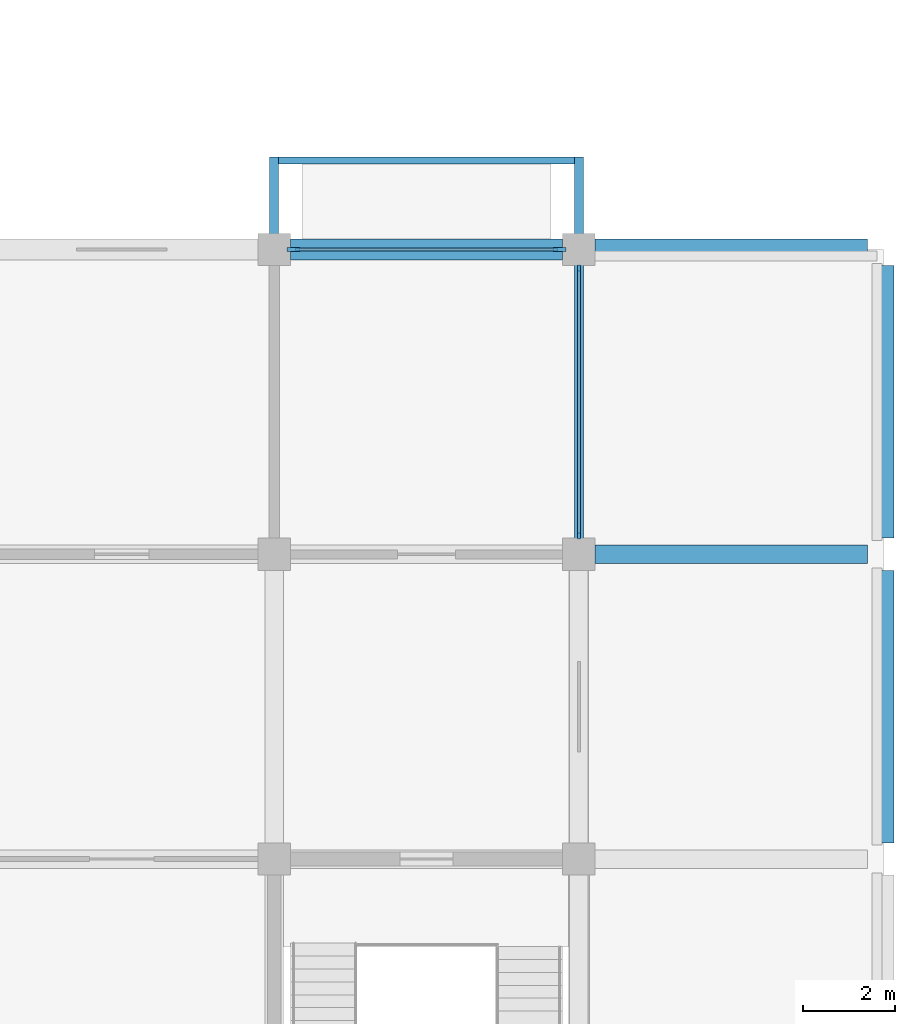
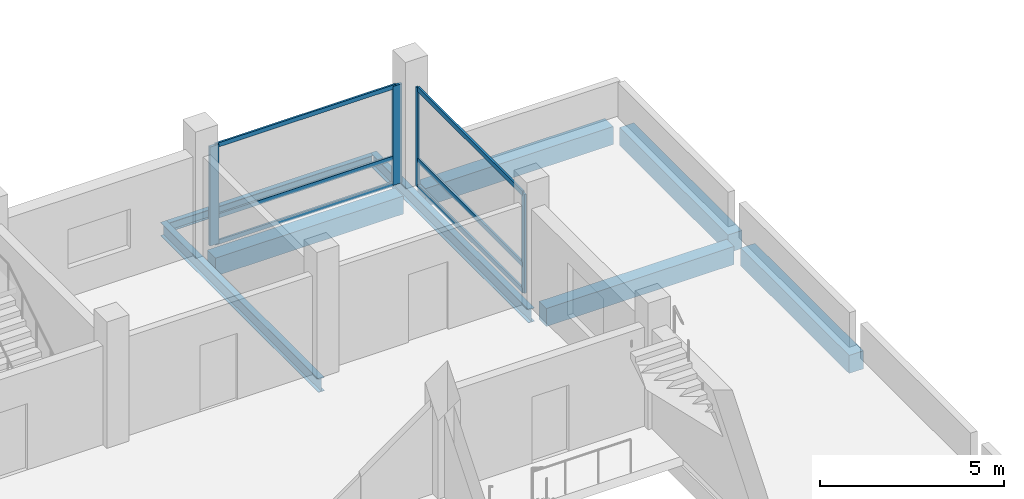
# One storey, part 2 of 10: 10 members, 8 beams, 2 elements without a shape of their own.
"""IFC4 building model written with IfcOpenShell, lengths in metres."""

import ifcopenshell
import ifcopenshell.guid

model = None  # the IFC model being written
_history = None  # IfcOwnerHistory: only IFC2X3 demands one
_inside = {}  # id of a spatial element -> (the spatial element, [elements in it])
_under = {}  # id of a project, library or spatial element -> (it, [spatial elements below it])
_declared = {}  # id of a project -> (the project, [libraries it declares])
_typed = {}  # id of a type object -> (the type object, [elements of that type])
_made_of = {}  # id of a material, layer set ... -> (it, [elements and type objects made of it])


def new_model(schema):
    """Start an empty IFC model of exactly this schema.

    Asked for "IFC4X3", IfcOpenShell would pick the latest addendum, in which some entities
    have other attributes; the version numbers below select the first issue.
    IFC2X3 requires an IfcOwnerHistory on every rooted entity: one is made here for all.
    """
    global model, _history
    if schema == "IFC4X3":
        model = ifcopenshell.file(schema_version=(4, 3, 0, 0))
    else:
        model = ifcopenshell.file(schema=schema)
    _inside.clear()
    _under.clear()
    _declared.clear()
    _typed.clear()
    _made_of.clear()
    _history = None
    if model.schema == "IFC2X3":
        org = make("IfcOrganization", Name="unknown")
        user = make(
            "IfcPersonAndOrganization",
            ThePerson=make("IfcPerson", FamilyName="unknown"),
            TheOrganization=org,
        )
        app = make(
            "IfcApplication",
            ApplicationDeveloper=org,
            Version="unknown",
            ApplicationFullName="unknown",
            ApplicationIdentifier="unknown",
        )
        _history = make(
            "IfcOwnerHistory",
            OwningUser=user,
            OwningApplication=app,
            ChangeAction="ADDED",
            CreationDate=0,
        )
    return model


def make(cls, **values):
    """One entity of the class cls with the attributes given. An attribute that is None is left unset."""
    return model.create_entity(
        cls, **{name: value for name, value in values.items() if value is not None}
    )


def rooted(cls, **values):
    """An entity with a GlobalId (a new one), such as an element, a storey or a relation."""
    return make(cls, GlobalId=ifcopenshell.guid.new(), OwnerHistory=_history, **values)


def si_unit(unit_type, name, prefix=None):
    """IfcSIUnit, for example si_unit("LENGTHUNIT", "METRE", prefix="MILLI")."""
    return make("IfcSIUnit", UnitType=unit_type, Prefix=prefix, Name=name)


def assignment(units):
    """IfcUnitAssignment: the units of a project."""
    return None if units is None else make("IfcUnitAssignment", Units=units)


def point(xyz):
    """IfcCartesianPoint."""
    return None if xyz is None else make("IfcCartesianPoint", Coordinates=xyz)


def direction(xyz):
    """IfcDirection."""
    return None if xyz is None else make("IfcDirection", DirectionRatios=xyz)


def frame(location, z_axis=None, x_axis=None):
    """IfcAxis2Placement3D, a coordinate frame: its origin and axes. An axis left out is left unset."""
    return make(
        "IfcAxis2Placement3D",
        Location=point(location),
        Axis=direction(z_axis),
        RefDirection=direction(x_axis),
    )


def frame_2d(location, x_axis=None):
    """IfcAxis2Placement2D, a coordinate frame in the plane: its origin and x axis."""
    return make(
        "IfcAxis2Placement2D", Location=point(location), RefDirection=direction(x_axis)
    )


def origin():
    """The frame at (0, 0, 0) with its axes left unset."""
    return frame((0.0, 0.0, 0.0))


def origin_2d():
    """The frame at (0, 0) in the plane with its x axis left unset."""
    return frame_2d((0.0, 0.0))


def place(relative_to, where):
    """IfcLocalPlacement: puts the frame where relative to a parent placement (None: the world)."""
    return make(
        "IfcLocalPlacement", PlacementRelTo=relative_to, RelativePlacement=where
    )


def context(
    kind, dimensions, precision=None, world=None, true_north=None, identifier=None
):
    """IfcGeometricRepresentationContext, for example the 3D "Model" context."""
    return make(
        "IfcGeometricRepresentationContext",
        ContextIdentifier=identifier,
        ContextType=kind,
        CoordinateSpaceDimension=dimensions,
        Precision=precision,
        WorldCoordinateSystem=world,
        TrueNorth=true_north,
    )


def subcontext(parent, identifier, kind, view, scale=None):
    """IfcGeometricRepresentationSubContext, for example "Body" below "Model"."""
    return make(
        "IfcGeometricRepresentationSubContext",
        ContextIdentifier=identifier,
        ContextType=kind,
        ParentContext=parent,
        TargetScale=scale,
        TargetView=view,
    )


def project(units=None, contexts=None):
    """IfcProject with its units and contexts."""
    return rooted(
        "IfcProject",
        Name="project",
        RepresentationContexts=contexts,
        UnitsInContext=assignment(units),
    )


def spatial(cls, under=None, at=None, **own):
    """A site, building, storey or space (cls), placed at a placement, below another one or the project."""
    s = rooted(cls, ObjectPlacement=at, **own)
    if under is not None:
        _under.setdefault(under.id(), (under, []))[1].append(s)
    return s


def profile(cls, at=None, kind="AREA", **sizes):
    """A parametric profile (cls). Its sizes go by their IFC names, for example OverallWidth=200.0."""
    return make(cls, ProfileType=kind, Position=at, **sizes)


def rectangle(**sizes):
    """IfcRectangleProfileDef."""
    return profile("IfcRectangleProfileDef", **sizes)


def i_section(**sizes):
    """IfcIShapeProfileDef."""
    return profile("IfcIShapeProfileDef", **sizes)


def extrude(swept, where, along, depth):
    """IfcExtrudedAreaSolid: the profile swept, set in the frame where, extruded along a direction by depth."""
    return make(
        "IfcExtrudedAreaSolid",
        SweptArea=swept,
        Position=where,
        ExtrudedDirection=direction(along),
        Depth=depth,
    )


def shape(context_of_items, identifier, shape_type, items):
    """IfcShapeRepresentation: the items that make up one representation, for example the "Body"."""
    return make(
        "IfcShapeRepresentation",
        ContextOfItems=context_of_items,
        RepresentationIdentifier=identifier,
        RepresentationType=shape_type,
        Items=items,
    )


def material(Name=None, Category=None):
    """IfcMaterial."""
    return make("IfcMaterial", Name=Name, Category=Category)


def material_profile(
    of_material, cross_section, Name=None, Category=None, Priority=None
):
    """IfcMaterialProfile: a cross section and its material."""
    return make(
        "IfcMaterialProfile",
        Name=Name,
        Material=of_material,
        Profile=cross_section,
        Priority=Priority,
        Category=Category,
    )


def profile_set(profiles, Name=None, composite=None):
    """IfcMaterialProfileSet."""
    return make(
        "IfcMaterialProfileSet",
        Name=Name,
        MaterialProfiles=profiles,
        CompositeProfile=composite,
    )


def made_of(thing, what):
    """Note that an element or type object is made of a material, layer set ...; save() writes the relation."""
    if what is not None:
        _made_of.setdefault(what.id(), (what, []))[1].append(thing)
    return thing


def type_object(cls, material=None, **own):
    """A type object (cls), such as IfcWallType, which elements share."""
    return made_of(rooted(cls, **own), material)


def element(
    cls,
    number,
    at=None,
    inside=None,
    cuts=None,
    type_object=None,
    material=None,
    context=None,
    identifier="Body",
    shape_type=None,
    held_by="IfcProductDefinitionShape",
    body=None,
    shapes=None,
    **own,
):
    """One element of the class cls, such as IfcWall. Its Tag is "e" and its number.

    at: its placement. inside: the storey or other place that contains it. cuts: it is an
    opening in that element (IfcRelVoidsElement). A single representation is given by context,
    identifier, shape_type and body (its items); several are given by shapes. held_by: the class
    of the entity that holds the representations. save() writes the other relations.
    """
    e = rooted(cls, Tag="e%d" % number, ObjectPlacement=at, **own)
    if body is not None:
        shapes = [shape(context, identifier, shape_type, body)]
    if shapes is not None:
        e.Representation = make(held_by, Representations=shapes)
    if inside is not None:
        _inside.setdefault(inside.id(), (inside, []))[1].append(e)
    if cuts is not None:
        rooted(
            "IfcRelVoidsElement", RelatingBuildingElement=cuts, RelatedOpeningElement=e
        )
    if type_object is not None:
        _typed.setdefault(type_object.id(), (type_object, []))[1].append(e)
    return made_of(e, material)


def aggregate(whole, parts):
    """IfcRelAggregates: a whole, such as a stair, and the parts it consists of."""
    return rooted("IfcRelAggregates", RelatingObject=whole, RelatedObjects=parts)


def save(model, path):
    """Write the relations noted so far, then the file.

    IfcRelAggregates (storeys below a building ...), IfcRelContainedInSpatialStructure (elements
    in a storey), IfcRelDefinesByType, IfcRelAssociatesMaterial and IfcRelDeclares: one each for
    every whole, place, type object, material and project.
    """
    for whole, parts in _under.values():
        aggregate(whole, parts)
    for where, things in _inside.values():
        rooted(
            "IfcRelContainedInSpatialStructure",
            RelatedElements=things,
            RelatingStructure=where,
        )
    for kind, things in _typed.values():
        rooted("IfcRelDefinesByType", RelatedObjects=things, RelatingType=kind)
    for what, things in _made_of.values():
        rooted("IfcRelAssociatesMaterial", RelatedObjects=things, RelatingMaterial=what)
    for by, libraries in _declared.values():
        rooted("IfcRelDeclares", RelatingContext=by, RelatedDefinitions=libraries)
    model.write(path)


model = new_model("IFC4")

# Units and contexts
model_context = context("Model", 3, precision=1e-05, world=origin(), true_north=direction((0.0, 1.0)))
body_context = subcontext(model_context, "Body", "Model", "MODEL_VIEW")
ifc_project = project(units=[si_unit("LENGTHUNIT", "METRE"), si_unit("AREAUNIT", "SQUARE_METRE"), si_unit("VOLUMEUNIT", "CUBIC_METRE"), si_unit("PLANEANGLEUNIT", "RADIAN"), si_unit("MASSUNIT", "GRAM", prefix="KILO")], contexts=[model_context])

# Site, building, storey
site_placement = place(None, origin())
site = spatial("IfcSite", under=ifc_project, at=site_placement, CompositionType="ELEMENT")
building_placement = place(site_placement, origin())
building = spatial("IfcBuilding", under=site, at=building_placement, Name="Rusizi Kubbe Research Institute", CompositionType="ELEMENT")
storey_placement = place(building_placement, frame((0.0, 0.0, 43.800048828125)))
storey = spatial("IfcBuildingStorey", under=building, at=storey_placement, Name="L10", CompositionType="ELEMENT", Elevation=43.800048828125)

# Beams
ifc_material_1 = material(Name="Steel S355", Category="steel")
ifc_material_profile_1 = material_profile(ifc_material_1, i_section(OverallWidth=0.14990234375, OverallDepth=0.300048828125, WebThickness=0.007080078125, FlangeThickness=0.0107421875, at=origin_2d()), Name="IPE 300")
ifc_profile_set_1 = profile_set([ifc_material_profile_1], Name="Steel S355")
beam_type_1 = type_object("IfcBeamType", Name="BM-IPE300", PredefinedType="BEAM", material=ifc_profile_set_1)
beam_1_placement = place(storey_placement, frame((33.094970703125, 28.324951171875, -0.4599609375), z_axis=(1.0, 0.0, 0.0), x_axis=(0.0, 1.0, 0.0)))
element("IfcBeam", 1, at=beam_1_placement, inside=storey, type_object=beam_type_1, Name="Cumba Edge Tie Beam L10-4", PredefinedType="BEAM", context=body_context, shape_type="SweptSolid", body=[
    extrude(i_section(OverallWidth=0.14990234375, OverallDepth=0.300048828125, WebThickness=0.007080078125, FlangeThickness=0.0107421875, at=origin_2d()), origin(), (0.0, 0.0, 1.0), 6.409912109375),
])
ifc_material_2 = material(Name="Steel S355", Category="steel")
ifc_material_profile_2 = material_profile(ifc_material_2, i_section(OverallWidth=0.18994140625, OverallDepth=0.449951171875, WebThickness=0.009521484375, FlangeThickness=0.0146484375, at=origin_2d()), Name="IPE 450")
ifc_profile_set_2 = profile_set([ifc_material_profile_2], Name="Steel S355")
beam_type_2 = type_object("IfcBeamType", Name="BM-IPE450", PredefinedType="BEAM", material=ifc_profile_set_2)
for number, where, z_axis, x_axis, name in (
    (2, (33.0, 19.800048828125, -0.53515625), (0.0, 1.0, 0.0), (-1.0, 0.0, 0.0), "Cumba Back-Spanned Cantilever Beam L10-4W"),
    (3, (39.60009765625, 19.800048828125, -0.53515625), (0.0, 1.0, 0.0), (-1.0, 0.0, 0.0), "Cumba Back-Spanned Cantilever Beam L10-4E"),
):
    element("IfcBeam", number, at=place(storey_placement, frame(where, z_axis=z_axis, x_axis=x_axis)), inside=storey, type_object=beam_type_2, Name=name, PredefinedType="BEAM", context=body_context, shape_type="SweptSolid", body=[
        extrude(i_section(OverallWidth=0.18994140625, OverallDepth=0.449951171875, WebThickness=0.009521484375, FlangeThickness=0.0146484375, at=origin_2d()), origin(), (0.0, 0.0, 1.0), 8.599853515625),
    ])
ifc_material_3 = material(Name="Concrete C40/50", Category="concrete")
ifc_material_profile_3 = material_profile(ifc_material_3, rectangle(XDim=0.39990234375, YDim=0.60009765625, at=origin_2d()), Name="RC400x600")
ifc_profile_set_3 = profile_set([ifc_material_profile_3], Name="Concrete C40/50")
beam_type_3 = type_object("IfcBeamType", Name="BM-RC400x600", PredefinedType="BEAM", material=ifc_profile_set_3)
beam_2_placement = place(storey_placement, frame((39.949951171875, 19.800048828125, -0.610107421875), z_axis=(1.0, 0.0, 0.0), x_axis=(0.0, 1.0, 0.0)))
element("IfcBeam", 4, at=beam_2_placement, inside=storey, type_object=beam_type_3, Name="Grid Beam H L10 (6,3)", PredefinedType="BEAM", context=body_context, shape_type="SweptSolid", body=[
    extrude(rectangle(XDim=0.39990234375, YDim=0.60009765625, at=origin_2d()), origin(), (0.0, 0.0, 1.0), 5.900146484375),
])
ifc_material_4 = material(Name="Concrete C40/50", Category="concrete")
ifc_material_profile_4 = material_profile(ifc_material_4, rectangle(XDim=0.449951171875, YDim=0.60009765625, at=origin_2d()), Name="RC450x600")
ifc_profile_set_4 = profile_set([ifc_material_profile_4], Name="Concrete C40/50")
beam_type_4 = type_object("IfcBeamType", Name="BM-RC450x600", PredefinedType="SPANDREL", material=ifc_profile_set_4)
beam_3_placement = place(storey_placement, frame((33.35009765625, 26.39990234375, -0.610107421875), z_axis=(1.0, 0.0, 0.0), x_axis=(0.0, 1.0, 0.0)))
element("IfcBeam", 5, at=beam_3_placement, inside=storey, type_object=beam_type_4, Name="Grid Beam H L10 (5,4)", PredefinedType="SPANDREL", context=body_context, shape_type="SweptSolid", body=[
    extrude(rectangle(XDim=0.449951171875, YDim=0.60009765625, at=origin_2d()), origin(), (0.0, 0.0, 1.0), 5.89990234375),
])
beam_4_placement = place(storey_placement, frame((39.949951171875, 26.39990234375, -0.610107421875), z_axis=(1.0, 0.0, 0.0), x_axis=(0.0, 1.0, 0.0)))
element("IfcBeam", 6, at=beam_4_placement, inside=storey, type_object=beam_type_4, Name="Grid Beam H L10 (6,4)", PredefinedType="SPANDREL", context=body_context, shape_type="SweptSolid", body=[
    extrude(rectangle(XDim=0.449951171875, YDim=0.60009765625, at=origin_2d()), origin(), (0.0, 0.0, 1.0), 5.900146484375),
])
beam_5_placement = place(storey_placement, frame((46.199951171875, 13.550048828125, -0.610107421875), z_axis=(0.0, 1.0, 0.0), x_axis=(-1.0, 0.0, 0.0)))
element("IfcBeam", 7, at=beam_5_placement, inside=storey, type_object=beam_type_4, Name="Grid Beam V L10 (7,2)", PredefinedType="SPANDREL", context=body_context, shape_type="SweptSolid", body=[
    extrude(rectangle(XDim=0.449951171875, YDim=0.60009765625, at=origin_2d()), origin(), (0.0, 0.0, 1.0), 5.89990234375),
])
beam_6_placement = place(storey_placement, frame((46.199951171875, 20.14990234375, -0.610107421875), z_axis=(0.0, 1.0, 0.0), x_axis=(-1.0, 0.0, 0.0)))
element("IfcBeam", 8, at=beam_6_placement, inside=storey, type_object=beam_type_4, Name="Grid Beam V L10 (7,3)", PredefinedType="SPANDREL", context=body_context, shape_type="SweptSolid", body=[
    extrude(rectangle(XDim=0.449951171875, YDim=0.60009765625, at=origin_2d()), origin(), (0.0, 0.0, 1.0), 5.900146484375),
])

# Curtain wall, members
ifc_material_5 = material(Name="Thermally Broken Aluminium and Low-E Glazing", Category="aluminium")
curtain_wall_type_1 = type_object("IfcCurtainWallType", Name="CW-13", PredefinedType="NOTDEFINED", material=ifc_material_5)
curtain_wall_1_placement = place(storey_placement, origin())
curtain_wall_1 = element("IfcCurtainWall", 9, at=curtain_wall_1_placement, inside=storey, type_object=curtain_wall_type_1, Name="Unitised Facade Curtain Wall CW-L10-V-06-03", PredefinedType="NOTDEFINED")
ifc_material_6 = material(Name="Aluminium Alloy 6063-T6", Category="aluminium")
ifc_material_profile_5 = material_profile(ifc_material_6, rectangle(XDim=0.06005859375, YDim=0.14990234375, at=origin_2d()), Name="ALU-M 60x150")
ifc_profile_set_5 = profile_set([ifc_material_profile_5], Name="Aluminium Alloy 6063-T6")
member_type_1 = type_object("IfcMemberType", Name="ML-01", PredefinedType="MULLION", material=ifc_profile_set_5)
member_1_placement = place(storey_placement, frame((39.60009765625, 20.2099609375, 0.0), z_axis=(0.0, 0.0, 1.0), x_axis=(-1.0, 0.0, 0.0)))
member_1 = element("IfcMember", 10, at=member_1_placement, type_object=member_type_1, Name="CW-13 mullion 1", PredefinedType="MULLION", context=body_context, shape_type="SweptSolid", body=[
    extrude(rectangle(XDim=0.06005859375, YDim=0.14990234375, at=origin_2d()), origin(), (0.0, 0.0, 1.0), 3.2900390625),
])
member_2_placement = place(storey_placement, frame((39.60009765625, 25.989990234375, 0.0), z_axis=(0.0, 0.0, 1.0), x_axis=(-1.0, 0.0, 0.0)))
member_2 = element("IfcMember", 11, at=member_2_placement, type_object=member_type_1, Name="CW-13 mullion 2", PredefinedType="MULLION", context=body_context, shape_type="SweptSolid", body=[
    extrude(rectangle(XDim=0.06005859375, YDim=0.14990234375, at=origin_2d()), origin(), (0.0, 0.0, 1.0), 3.2900390625),
])

ifc_material_7 = material(Name="Thermally Broken Aluminium and Low-E Glazing", Category="aluminium")
curtain_wall_type_2 = type_object("IfcCurtainWallType", Name="CW-12", PredefinedType="NOTDEFINED", material=ifc_material_7)
curtain_wall_2_placement = place(storey_placement, origin())
curtain_wall_2 = element("IfcCurtainWall", 12, at=curtain_wall_2_placement, inside=storey, type_object=curtain_wall_type_2, Name="Unitised Facade Curtain Wall CW-L10-H-05-04", PredefinedType="NOTDEFINED")
ifc_material_8 = material(Name="Aluminium Alloy 6063-T6", Category="aluminium")
ifc_material_profile_6 = material_profile(ifc_material_8, rectangle(XDim=0.080078125, YDim=0.280029296875, at=origin_2d()), Name="ALU-M 80x280")
ifc_profile_set_6 = profile_set([ifc_material_profile_6], Name="Aluminium Alloy 6063-T6")
member_type_2 = type_object("IfcMemberType", Name="ML-06", PredefinedType="MULLION", material=ifc_profile_set_6)
member_3_placement = place(storey_placement, frame((33.419921875, 26.39990234375, 0.0), z_axis=(0.0, 0.0, 1.0), x_axis=(0.0, 1.0, 0.0)))
member_3 = element("IfcMember", 13, at=member_3_placement, type_object=member_type_2, Name="CW-12 mullion 1", PredefinedType="MULLION", context=body_context, shape_type="SweptSolid", body=[
    extrude(rectangle(XDim=0.080078125, YDim=0.280029296875, at=origin_2d()), origin(), (0.0, 0.0, 1.0), 3.2900390625),
])
member_4_placement = place(storey_placement, frame((39.179931640625, 26.39990234375, 0.0), z_axis=(0.0, 0.0, 1.0), x_axis=(0.0, 1.0, 0.0)))
member_4 = element("IfcMember", 14, at=member_4_placement, type_object=member_type_2, Name="CW-12 mullion 2", PredefinedType="MULLION", context=body_context, shape_type="SweptSolid", body=[
    extrude(rectangle(XDim=0.080078125, YDim=0.280029296875, at=origin_2d()), origin(), (0.0, 0.0, 1.0), 3.2900390625),
])
ifc_material_9 = material(Name="Aluminium Alloy 6063-T6", Category="aluminium")
ifc_material_profile_7 = material_profile(ifc_material_9, rectangle(XDim=0.06005859375, YDim=0.139892578125, at=origin_2d()), Name="ALU-T 60x140")
ifc_profile_set_7 = profile_set([ifc_material_profile_7], Name="Aluminium Alloy 6063-T6")
member_type_3 = type_object("IfcMemberType", Name="TR-02", PredefinedType="USERDEFINED", material=ifc_profile_set_7)
member_5_placement = place(storey_placement, frame((33.4599609375, 26.39990234375, 0.030029296875), z_axis=(1.0, 0.0, 0.0), x_axis=(0.0, 1.0, 0.0)))
member_5 = element("IfcMember", 15, at=member_5_placement, type_object=member_type_3, Name="CW-12 transom 1.1", ObjectType="TRANSOM", PredefinedType="USERDEFINED", context=body_context, shape_type="SweptSolid", body=[
    extrude(rectangle(XDim=0.06005859375, YDim=0.139892578125, at=origin_2d()), origin(), (0.0, 0.0, 1.0), 5.679931640625),
])
member_6_placement = place(storey_placement, frame((33.4599609375, 26.39990234375, 0.89990234375), z_axis=(1.0, 0.0, 0.0), x_axis=(0.0, 1.0, 0.0)))
member_6 = element("IfcMember", 16, at=member_6_placement, type_object=member_type_3, Name="CW-12 transom 1.2", ObjectType="TRANSOM", PredefinedType="USERDEFINED", context=body_context, shape_type="SweptSolid", body=[
    extrude(rectangle(XDim=0.06005859375, YDim=0.139892578125, at=origin_2d()), origin(), (0.0, 0.0, 1.0), 5.679931640625),
])
member_7_placement = place(storey_placement, frame((33.4599609375, 26.39990234375, 3.260009765625), z_axis=(1.0, 0.0, 0.0), x_axis=(0.0, 1.0, 0.0)))
member_7 = element("IfcMember", 17, at=member_7_placement, type_object=member_type_3, Name="CW-12 transom 1.3", ObjectType="TRANSOM", PredefinedType="USERDEFINED", context=body_context, shape_type="SweptSolid", body=[
    extrude(rectangle(XDim=0.06005859375, YDim=0.139892578125, at=origin_2d()), origin(), (0.0, 0.0, 1.0), 5.679931640625),
])
aggregate(curtain_wall_2, [member_3, member_4, member_5, member_6, member_7])

# Member
ifc_material_10 = material(Name="Aluminium Alloy 6063-T6", Category="aluminium")
ifc_material_profile_8 = material_profile(ifc_material_10, rectangle(XDim=0.06494140625, YDim=0.159912109375, at=origin_2d()), Name="ALU-T 65x160")
ifc_profile_set_8 = profile_set([ifc_material_profile_8], Name="Aluminium Alloy 6063-T6")
member_type_4 = type_object("IfcMemberType", Name="TR-03", PredefinedType="USERDEFINED", material=ifc_profile_set_8)
member_8_placement = place(storey_placement, frame((39.60009765625, 20.239990234375, 0.032470703125), z_axis=(0.0, 1.0, 0.0), x_axis=(-1.0, 0.0, 0.0)))
member_8 = element("IfcMember", 18, at=member_8_placement, type_object=member_type_4, Name="CW-13 transom 1.1", ObjectType="TRANSOM", PredefinedType="USERDEFINED", context=body_context, shape_type="SweptSolid", body=[
    extrude(rectangle(XDim=0.06494140625, YDim=0.159912109375, at=origin_2d()), origin(), (0.0, 0.0, 1.0), 5.719970703125),
])

member_9_placement = place(storey_placement, frame((39.60009765625, 20.239990234375, 0.89990234375), z_axis=(0.0, 1.0, 0.0), x_axis=(-1.0, 0.0, 0.0)))
member_9 = element("IfcMember", 19, at=member_9_placement, type_object=member_type_4, Name="CW-13 transom 1.2", ObjectType="TRANSOM", PredefinedType="USERDEFINED", context=body_context, shape_type="SweptSolid", body=[
    extrude(rectangle(XDim=0.06494140625, YDim=0.159912109375, at=origin_2d()), origin(), (0.0, 0.0, 1.0), 5.719970703125),
])

member_10_placement = place(storey_placement, frame((39.60009765625, 20.239990234375, 3.257568359375), z_axis=(0.0, 1.0, 0.0), x_axis=(-1.0, 0.0, 0.0)))
member_10 = element("IfcMember", 20, at=member_10_placement, type_object=member_type_4, Name="CW-13 transom 1.3", ObjectType="TRANSOM", PredefinedType="USERDEFINED", context=body_context, shape_type="SweptSolid", body=[
    extrude(rectangle(XDim=0.06494140625, YDim=0.159912109375, at=origin_2d()), origin(), (0.0, 0.0, 1.0), 5.719970703125),
])

aggregate(curtain_wall_1, [member_1, member_2, member_8, member_9, member_10])

save(model, "model.ifc")
